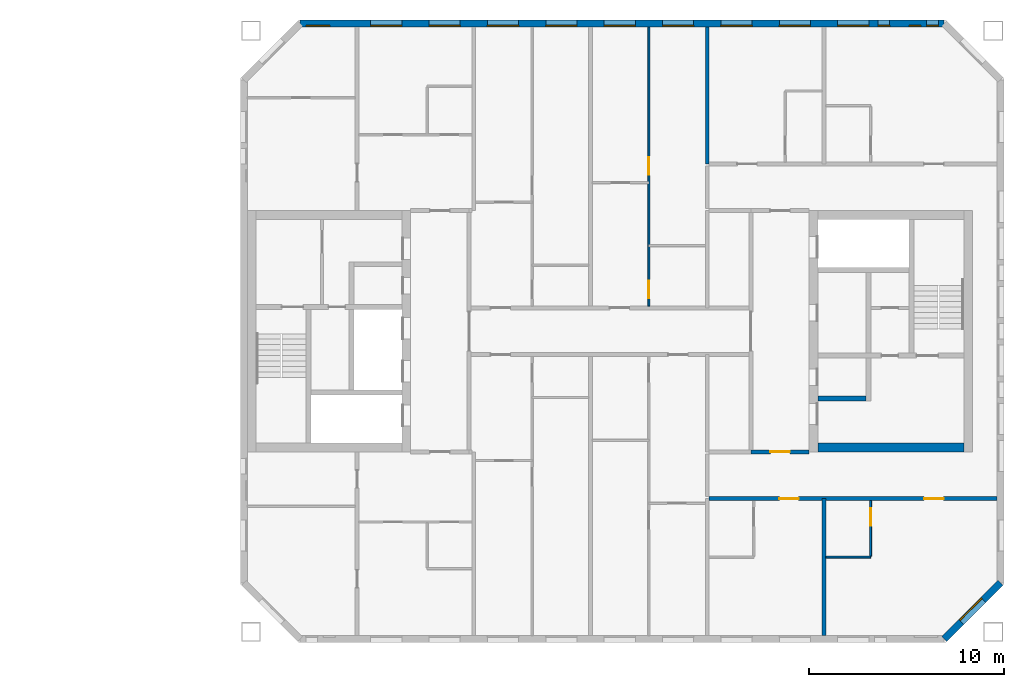
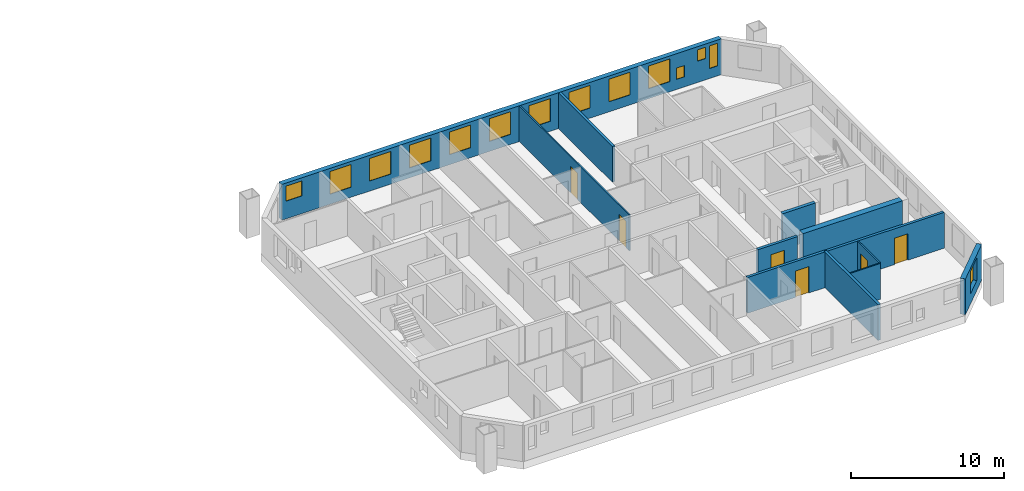
# One storey, part 12 of 16: 14 windows, 11 walls, 6 doors, 20 openings.
"""IFC4 building model written with IfcOpenShell, lengths in metres."""

from ifc_helpers import new_model, si_unit, direction, frame, frame_2d, origin, place, context, subcontext, project, spatial, rectangle, extrude, material, layer, layer_set, type_object, element, fill, save


model = new_model("IFC4")

# Units and contexts
model_context = context("Model", 3, precision=1e-05, world=origin(), true_north=direction((0.0, 1.0)))
body_context = subcontext(model_context, "Body", "Model", "MODEL_VIEW")
ifc_project = project(units=[si_unit("LENGTHUNIT", "METRE"), si_unit("AREAUNIT", "SQUARE_METRE"), si_unit("VOLUMEUNIT", "CUBIC_METRE"), si_unit("PLANEANGLEUNIT", "RADIAN"), si_unit("MASSUNIT", "GRAM", prefix="KILO")], contexts=[model_context])

# Site, building, storey
site_placement = place(None, origin())
site = spatial("IfcSite", under=ifc_project, at=site_placement, CompositionType="ELEMENT")
building_placement = place(site_placement, origin())
building = spatial("IfcBuilding", under=site, at=building_placement, Name="Tuart Gate Housing", CompositionType="ELEMENT")
storey_placement = place(building_placement, frame((0.0, 0.0, 175.800048828125)))
storey = spatial("IfcBuildingStorey", under=building, at=storey_placement, Name="L49", CompositionType="ELEMENT", Elevation=175.800048828125)

# Wall, opening, window
ifc_material_1 = material(Name="Brick", Category="masonry")
ifc_layer_1 = layer(ifc_material_1, 0.360107421875)
ifc_layer_set_1 = layer_set([ifc_layer_1], Name="Brick pier and spandrel wall 360")
wall_type_1 = type_object("IfcWallType", Name="Brick pier and spandrel wall 360", PredefinedType="STANDARD", material=ifc_layer_set_1)
wall_1_placement = place(storey_placement, frame((167.17529296875, 54.179931640625, 0.0), z_axis=(0.0, 0.0, 1.0), x_axis=(0.707106781187, 0.707106781187, 0.0)))
wall_1 = element("IfcWall", 1, at=wall_1_placement, inside=storey, type_object=wall_type_1, Name="External wall B-SE L49", PredefinedType="STANDARD", context=body_context, shape_type="SweptSolid", body=[
    extrude(rectangle(XDim=4.09375, YDim=0.360107421875, at=frame_2d((2.046875, 0.0))), origin(), (0.0, 0.0, 1.0), 2.849853515625),
])
opening_1_placement = place(wall_1_placement, frame((1.2470703125, 0.0, 0.800048828125)))
opening_1 = element("IfcOpeningElement", 2, at=opening_1_placement, cuts=wall_1, Name="Opening W1", PredefinedType="OPENING", context=body_context, shape_type="SweptSolid", body=[
    extrude(rectangle(XDim=1.60009765625, YDim=1.800048828125, at=frame_2d((0.800048828125, 0.89990234375))), frame((0.0, 0.18994140625, 0.0), z_axis=(0.0, -1.0, 0.0), x_axis=(1.0, 0.0, 0.0)), (0.0, 0.0, 1.0), 0.380126953125),
])
ifc_material_2 = material(Name="Aluminium frame with clear glass", Category="aluminium")
window_type_1 = type_object("IfcWindowType", Name="Punched window 1600 x 1800", PartitioningType="SINGLE_PANEL", PredefinedType="WINDOW", material=ifc_material_2)
window_1_placement = place(opening_1_placement, origin())
window_1 = element("IfcWindow", 3, at=window_1_placement, inside=storey, type_object=window_type_1, Name="Window W1", OverallHeight=1.800048828125, OverallWidth=1.60009765625, PartitioningType="SINGLE_PANEL", PredefinedType="WINDOW", context=body_context, shape_type="SweptSolid", body=[
    extrude(rectangle(XDim=1.60009765625, YDim=1.800048828125, at=frame_2d((0.800048828125, 0.89990234375))), frame((0.0, 0.150146484375, 0.0), z_axis=(0.0, -1.0, 0.0), x_axis=(1.0, 0.0, 0.0)), (0.0, 0.0, 1.0), 0.06005859375),
])
fill(opening_1, window_1)

# Wall, openings, windows
wall_2_placement = place(storey_placement, frame((167.17529296875, 85.820068359375, 0.0), z_axis=(0.0, 0.0, 1.0), x_axis=(-1.0, 0.0, 0.0)))
wall_2 = element("IfcWall", 4, at=wall_2_placement, inside=storey, type_object=wall_type_1, Name="External wall B-N L49", PredefinedType="STANDARD", context=body_context, shape_type="SweptSolid", body=[
    extrude(rectangle(XDim=33.100830078125, YDim=0.360107421875, at=frame_2d((16.55029296875, 0.0))), origin(), (0.0, 0.0, 1.0), 2.849853515625),
])
opening_2_placement = place(wall_2_placement, frame((0.300048828125, 0.0, 0.800048828125)))
opening_2 = element("IfcOpeningElement", 5, at=opening_2_placement, cuts=wall_2, Name="Opening W1E", PredefinedType="OPENING", context=body_context, shape_type="SweptSolid", body=[
    extrude(rectangle(XDim=0.60009765625, YDim=1.800048828125, at=frame_2d((0.300048828125, 0.89990234375))), frame((0.0, 0.18994140625, 0.0), z_axis=(0.0, -1.0, 0.0), x_axis=(1.0, 0.0, 0.0)), (0.0, 0.0, 1.0), 0.380126953125),
])
opening_3_placement = place(wall_2_placement, frame((3.87548828125, 0.0, 0.800048828125)))
opening_3 = element("IfcOpeningElement", 6, at=opening_3_placement, cuts=wall_2, Name="Opening W1", PredefinedType="OPENING", context=body_context, shape_type="SweptSolid", body=[
    extrude(rectangle(XDim=1.60009765625, YDim=1.800048828125, at=frame_2d((0.800048828125, 0.89990234375))), frame((0.0, 0.18994140625, 0.0), z_axis=(0.0, -1.0, 0.0), x_axis=(1.0, 0.0, 0.0)), (0.0, 0.0, 1.0), 0.380126953125),
])
opening_4_placement = place(wall_2_placement, frame((6.87548828125, 0.0, 0.800048828125)))
opening_4 = element("IfcOpeningElement", 7, at=opening_4_placement, cuts=wall_2, Name="Opening W1", PredefinedType="OPENING", context=body_context, shape_type="SweptSolid", body=[
    extrude(rectangle(XDim=1.60009765625, YDim=1.800048828125, at=frame_2d((0.800048828125, 0.89990234375))), frame((0.0, 0.18994140625, 0.0), z_axis=(0.0, -1.0, 0.0), x_axis=(1.0, 0.0, 0.0)), (0.0, 0.0, 1.0), 0.380126953125),
])
opening_5_placement = place(wall_2_placement, frame((9.87548828125, 0.0, 0.800048828125)))
opening_5 = element("IfcOpeningElement", 8, at=opening_5_placement, cuts=wall_2, Name="Opening W1", PredefinedType="OPENING", context=body_context, shape_type="SweptSolid", body=[
    extrude(rectangle(XDim=1.60009765625, YDim=1.800048828125, at=frame_2d((0.800048828125, 0.89990234375))), frame((0.0, 0.18994140625, 0.0), z_axis=(0.0, -1.0, 0.0), x_axis=(1.0, 0.0, 0.0)), (0.0, 0.0, 1.0), 0.380126953125),
])
opening_6_placement = place(wall_2_placement, frame((12.87548828125, 0.0, 0.800048828125)))
opening_6 = element("IfcOpeningElement", 9, at=opening_6_placement, cuts=wall_2, Name="Opening W1", PredefinedType="OPENING", context=body_context, shape_type="SweptSolid", body=[
    extrude(rectangle(XDim=1.60009765625, YDim=1.800048828125, at=frame_2d((0.800048828125, 0.89990234375))), frame((0.0, 0.18994140625, 0.0), z_axis=(0.0, -1.0, 0.0), x_axis=(1.0, 0.0, 0.0)), (0.0, 0.0, 1.0), 0.380126953125),
])
opening_7_placement = place(wall_2_placement, frame((15.87548828125, 0.0, 0.800048828125)))
opening_7 = element("IfcOpeningElement", 10, at=opening_7_placement, cuts=wall_2, Name="Opening W1", PredefinedType="OPENING", context=body_context, shape_type="SweptSolid", body=[
    extrude(rectangle(XDim=1.60009765625, YDim=1.800048828125, at=frame_2d((0.800048828125, 0.89990234375))), frame((0.0, 0.18994140625, 0.0), z_axis=(0.0, -1.0, 0.0), x_axis=(1.0, 0.0, 0.0)), (0.0, 0.0, 1.0), 0.380126953125),
])
opening_8_placement = place(wall_2_placement, frame((18.87548828125, 0.0, 0.800048828125)))
opening_8 = element("IfcOpeningElement", 11, at=opening_8_placement, cuts=wall_2, Name="Opening W1", PredefinedType="OPENING", context=body_context, shape_type="SweptSolid", body=[
    extrude(rectangle(XDim=1.60009765625, YDim=1.800048828125, at=frame_2d((0.800048828125, 0.89990234375))), frame((0.0, 0.18994140625, 0.0), z_axis=(0.0, -1.0, 0.0), x_axis=(1.0, 0.0, 0.0)), (0.0, 0.0, 1.0), 0.380126953125),
])
opening_9_placement = place(wall_2_placement, frame((21.87548828125, 0.0, 0.800048828125)))
opening_9 = element("IfcOpeningElement", 12, at=opening_9_placement, cuts=wall_2, Name="Opening W1", PredefinedType="OPENING", context=body_context, shape_type="SweptSolid", body=[
    extrude(rectangle(XDim=1.60009765625, YDim=1.800048828125, at=frame_2d((0.800048828125, 0.89990234375))), frame((0.0, 0.18994140625, 0.0), z_axis=(0.0, -1.0, 0.0), x_axis=(1.0, 0.0, 0.0)), (0.0, 0.0, 1.0), 0.380126953125),
])
opening_10_placement = place(wall_2_placement, frame((24.87548828125, 0.0, 0.800048828125)))
opening_10 = element("IfcOpeningElement", 13, at=opening_10_placement, cuts=wall_2, Name="Opening W1", PredefinedType="OPENING", context=body_context, shape_type="SweptSolid", body=[
    extrude(rectangle(XDim=1.60009765625, YDim=1.800048828125, at=frame_2d((0.800048828125, 0.89990234375))), frame((0.0, 0.18994140625, 0.0), z_axis=(0.0, -1.0, 0.0), x_axis=(1.0, 0.0, 0.0)), (0.0, 0.0, 1.0), 0.380126953125),
])
opening_11_placement = place(wall_2_placement, frame((27.87548828125, 0.0, 0.800048828125)))
opening_11 = element("IfcOpeningElement", 14, at=opening_11_placement, cuts=wall_2, Name="Opening W1", PredefinedType="OPENING", context=body_context, shape_type="SweptSolid", body=[
    extrude(rectangle(XDim=1.60009765625, YDim=1.800048828125, at=frame_2d((0.800048828125, 0.89990234375))), frame((0.0, 0.18994140625, 0.0), z_axis=(0.0, -1.0, 0.0), x_axis=(1.0, 0.0, 0.0)), (0.0, 0.0, 1.0), 0.380126953125),
])
opening_12_placement = place(wall_2_placement, frame((31.575439453125, 0.0, 1.39990234375)))
opening_12 = element("IfcOpeningElement", 15, at=opening_12_placement, cuts=wall_2, Name="Opening W1N", PredefinedType="OPENING", context=body_context, shape_type="SweptSolid", body=[
    extrude(rectangle(XDim=1.199951171875, YDim=1.199951171875, at=frame_2d((0.60009765625, 0.60009765625))), frame((0.0, 0.18994140625, 0.0), z_axis=(0.0, -1.0, 0.0), x_axis=(1.0, 0.0, 0.0)), (0.0, 0.0, 1.0), 0.380126953125),
])
opening_13_placement = place(wall_2_placement, frame((1.199951171875, 0.0, 1.699951171875)))
opening_13 = element("IfcOpeningElement", 16, at=opening_13_placement, cuts=wall_2, Name="Opening W1W", PredefinedType="OPENING", context=body_context, shape_type="SweptSolid", body=[
    extrude(rectangle(XDim=0.60009765625, YDim=0.89990234375, at=frame_2d((0.300048828125, 0.449951171875))), frame((0.0, 0.18994140625, 0.0), z_axis=(0.0, -1.0, 0.0), x_axis=(1.0, 0.0, 0.0)), (0.0, 0.0, 1.0), 0.380126953125),
])
opening_14_placement = place(wall_2_placement, frame((2.800048828125, 0.0, 0.800048828125)))
opening_14 = element("IfcOpeningElement", 17, at=opening_14_placement, cuts=wall_2, Name="Opening W1W", PredefinedType="OPENING", context=body_context, shape_type="SweptSolid", body=[
    extrude(rectangle(XDim=0.60009765625, YDim=0.89990234375, at=frame_2d((0.300048828125, 0.449951171875))), frame((0.0, 0.18994140625, 0.0), z_axis=(0.0, -1.0, 0.0), x_axis=(1.0, 0.0, 0.0)), (0.0, 0.0, 1.0), 0.380126953125),
])
ifc_material_3 = material(Name="Aluminium frame with clear glass", Category="aluminium")
window_type_2 = type_object("IfcWindowType", Name="Punched window 1200 x 1200", PartitioningType="SINGLE_PANEL", PredefinedType="WINDOW", material=ifc_material_3)
window_2_placement = place(opening_12_placement, origin())
window_2 = element("IfcWindow", 18, at=window_2_placement, inside=storey, type_object=window_type_2, Name="Window W1N", OverallHeight=1.199951171875, OverallWidth=1.199951171875, PartitioningType="SINGLE_PANEL", PredefinedType="WINDOW", context=body_context, shape_type="SweptSolid", body=[
    extrude(rectangle(XDim=1.199951171875, YDim=1.199951171875, at=frame_2d((0.60009765625, 0.60009765625))), frame((0.0, 0.150146484375, 0.0), z_axis=(0.0, -1.0, 0.0), x_axis=(1.0, 0.0, 0.0)), (0.0, 0.0, 1.0), 0.06005859375),
])
fill(opening_12, window_2)
window_3_placement = place(opening_3_placement, origin())
window_3 = element("IfcWindow", 19, at=window_3_placement, inside=storey, type_object=window_type_1, Name="Window W1", OverallHeight=1.800048828125, OverallWidth=1.60009765625, PartitioningType="SINGLE_PANEL", PredefinedType="WINDOW", context=body_context, shape_type="SweptSolid", body=[
    extrude(rectangle(XDim=1.60009765625, YDim=1.800048828125, at=frame_2d((0.800048828125, 0.89990234375))), frame((0.0, 0.150146484375, 0.0), z_axis=(0.0, -1.0, 0.0), x_axis=(1.0, 0.0, 0.0)), (0.0, 0.0, 1.0), 0.06005859375),
])
fill(opening_3, window_3)
window_4_placement = place(opening_4_placement, origin())
window_4 = element("IfcWindow", 20, at=window_4_placement, inside=storey, type_object=window_type_1, Name="Window W1", OverallHeight=1.800048828125, OverallWidth=1.60009765625, PartitioningType="SINGLE_PANEL", PredefinedType="WINDOW", context=body_context, shape_type="SweptSolid", body=[
    extrude(rectangle(XDim=1.60009765625, YDim=1.800048828125, at=frame_2d((0.800048828125, 0.89990234375))), frame((0.0, 0.150146484375, 0.0), z_axis=(0.0, -1.0, 0.0), x_axis=(1.0, 0.0, 0.0)), (0.0, 0.0, 1.0), 0.06005859375),
])
fill(opening_4, window_4)
window_5_placement = place(opening_5_placement, origin())
window_5 = element("IfcWindow", 21, at=window_5_placement, inside=storey, type_object=window_type_1, Name="Window W1", OverallHeight=1.800048828125, OverallWidth=1.60009765625, PartitioningType="SINGLE_PANEL", PredefinedType="WINDOW", context=body_context, shape_type="SweptSolid", body=[
    extrude(rectangle(XDim=1.60009765625, YDim=1.800048828125, at=frame_2d((0.800048828125, 0.89990234375))), frame((0.0, 0.150146484375, 0.0), z_axis=(0.0, -1.0, 0.0), x_axis=(1.0, 0.0, 0.0)), (0.0, 0.0, 1.0), 0.06005859375),
])
fill(opening_5, window_5)
window_6_placement = place(opening_6_placement, origin())
window_6 = element("IfcWindow", 22, at=window_6_placement, inside=storey, type_object=window_type_1, Name="Window W1", OverallHeight=1.800048828125, OverallWidth=1.60009765625, PartitioningType="SINGLE_PANEL", PredefinedType="WINDOW", context=body_context, shape_type="SweptSolid", body=[
    extrude(rectangle(XDim=1.60009765625, YDim=1.800048828125, at=frame_2d((0.800048828125, 0.89990234375))), frame((0.0, 0.150146484375, 0.0), z_axis=(0.0, -1.0, 0.0), x_axis=(1.0, 0.0, 0.0)), (0.0, 0.0, 1.0), 0.06005859375),
])
fill(opening_6, window_6)
window_7_placement = place(opening_7_placement, origin())
window_7 = element("IfcWindow", 23, at=window_7_placement, inside=storey, type_object=window_type_1, Name="Window W1", OverallHeight=1.800048828125, OverallWidth=1.60009765625, PartitioningType="SINGLE_PANEL", PredefinedType="WINDOW", context=body_context, shape_type="SweptSolid", body=[
    extrude(rectangle(XDim=1.60009765625, YDim=1.800048828125, at=frame_2d((0.800048828125, 0.89990234375))), frame((0.0, 0.150146484375, 0.0), z_axis=(0.0, -1.0, 0.0), x_axis=(1.0, 0.0, 0.0)), (0.0, 0.0, 1.0), 0.06005859375),
])
fill(opening_7, window_7)
window_8_placement = place(opening_8_placement, origin())
window_8 = element("IfcWindow", 24, at=window_8_placement, inside=storey, type_object=window_type_1, Name="Window W1", OverallHeight=1.800048828125, OverallWidth=1.60009765625, PartitioningType="SINGLE_PANEL", PredefinedType="WINDOW", context=body_context, shape_type="SweptSolid", body=[
    extrude(rectangle(XDim=1.60009765625, YDim=1.800048828125, at=frame_2d((0.800048828125, 0.89990234375))), frame((0.0, 0.150146484375, 0.0), z_axis=(0.0, -1.0, 0.0), x_axis=(1.0, 0.0, 0.0)), (0.0, 0.0, 1.0), 0.06005859375),
])
fill(opening_8, window_8)
window_9_placement = place(opening_9_placement, origin())
window_9 = element("IfcWindow", 25, at=window_9_placement, inside=storey, type_object=window_type_1, Name="Window W1", OverallHeight=1.800048828125, OverallWidth=1.60009765625, PartitioningType="SINGLE_PANEL", PredefinedType="WINDOW", context=body_context, shape_type="SweptSolid", body=[
    extrude(rectangle(XDim=1.60009765625, YDim=1.800048828125, at=frame_2d((0.800048828125, 0.89990234375))), frame((0.0, 0.150146484375, 0.0), z_axis=(0.0, -1.0, 0.0), x_axis=(1.0, 0.0, 0.0)), (0.0, 0.0, 1.0), 0.06005859375),
])
fill(opening_9, window_9)
window_10_placement = place(opening_10_placement, origin())
window_10 = element("IfcWindow", 26, at=window_10_placement, inside=storey, type_object=window_type_1, Name="Window W1", OverallHeight=1.800048828125, OverallWidth=1.60009765625, PartitioningType="SINGLE_PANEL", PredefinedType="WINDOW", context=body_context, shape_type="SweptSolid", body=[
    extrude(rectangle(XDim=1.60009765625, YDim=1.800048828125, at=frame_2d((0.800048828125, 0.89990234375))), frame((0.0, 0.150146484375, 0.0), z_axis=(0.0, -1.0, 0.0), x_axis=(1.0, 0.0, 0.0)), (0.0, 0.0, 1.0), 0.06005859375),
])
fill(opening_10, window_10)
window_11_placement = place(opening_11_placement, origin())
window_11 = element("IfcWindow", 27, at=window_11_placement, inside=storey, type_object=window_type_1, Name="Window W1", OverallHeight=1.800048828125, OverallWidth=1.60009765625, PartitioningType="SINGLE_PANEL", PredefinedType="WINDOW", context=body_context, shape_type="SweptSolid", body=[
    extrude(rectangle(XDim=1.60009765625, YDim=1.800048828125, at=frame_2d((0.800048828125, 0.89990234375))), frame((0.0, 0.150146484375, 0.0), z_axis=(0.0, -1.0, 0.0), x_axis=(1.0, 0.0, 0.0)), (0.0, 0.0, 1.0), 0.06005859375),
])
fill(opening_11, window_11)
ifc_material_4 = material(Name="Aluminium frame with clear glass", Category="aluminium")
window_type_3 = type_object("IfcWindowType", Name="Punched window 600 x 1800", PartitioningType="SINGLE_PANEL", PredefinedType="WINDOW", material=ifc_material_4)
window_12_placement = place(opening_2_placement, origin())
window_12 = element("IfcWindow", 28, at=window_12_placement, inside=storey, type_object=window_type_3, Name="Window W1E", OverallHeight=1.800048828125, OverallWidth=0.60009765625, PartitioningType="SINGLE_PANEL", PredefinedType="WINDOW", context=body_context, shape_type="SweptSolid", body=[
    extrude(rectangle(XDim=0.60009765625, YDim=1.800048828125, at=frame_2d((0.300048828125, 0.89990234375))), frame((0.0, 0.150146484375, 0.0), z_axis=(0.0, -1.0, 0.0), x_axis=(1.0, 0.0, 0.0)), (0.0, 0.0, 1.0), 0.06005859375),
])
fill(opening_2, window_12)
ifc_material_5 = material(Name="Aluminium frame with clear glass", Category="aluminium")
window_type_4 = type_object("IfcWindowType", Name="Punched window 600 x 900", PartitioningType="SINGLE_PANEL", PredefinedType="WINDOW", material=ifc_material_5)
window_13_placement = place(opening_13_placement, origin())
window_13 = element("IfcWindow", 29, at=window_13_placement, inside=storey, type_object=window_type_4, Name="Window W1W", OverallHeight=0.89990234375, OverallWidth=0.60009765625, PartitioningType="SINGLE_PANEL", PredefinedType="WINDOW", context=body_context, shape_type="SweptSolid", body=[
    extrude(rectangle(XDim=0.60009765625, YDim=0.89990234375, at=frame_2d((0.300048828125, 0.449951171875))), frame((0.0, 0.150146484375, 0.0), z_axis=(0.0, -1.0, 0.0), x_axis=(1.0, 0.0, 0.0)), (0.0, 0.0, 1.0), 0.06005859375),
])
fill(opening_13, window_13)
window_14_placement = place(opening_14_placement, origin())
window_14 = element("IfcWindow", 30, at=window_14_placement, inside=storey, type_object=window_type_4, Name="Window W1W", OverallHeight=0.89990234375, OverallWidth=0.60009765625, PartitioningType="SINGLE_PANEL", PredefinedType="WINDOW", context=body_context, shape_type="SweptSolid", body=[
    extrude(rectangle(XDim=0.60009765625, YDim=0.89990234375, at=frame_2d((0.300048828125, 0.449951171875))), frame((0.0, 0.150146484375, 0.0), z_axis=(0.0, -1.0, 0.0), x_axis=(1.0, 0.0, 0.0)), (0.0, 0.0, 1.0), 0.06005859375),
])
fill(opening_14, window_14)

# Walls
ifc_material_6 = material(Name="Concrete C40", Category="concrete")
ifc_layer_2 = layer(ifc_material_6, 0.25)
ifc_layer_set_2 = layer_set([ifc_layer_2], Name="Core wall 250 C40")
wall_type_2 = type_object("IfcWallType", Name="Core wall 250 C40", PredefinedType="SHEAR", material=ifc_layer_set_2)
wall_3_placement = place(storey_placement, frame((160.68994140625, 66.550048828125, 0.0), z_axis=(0.0, 0.0, 1.0), x_axis=(1.0, 0.0, 0.0)))
element("IfcWall", 31, at=wall_3_placement, inside=storey, type_object=wall_type_2, Name="Core wall BK.4", PredefinedType="SHEAR", context=body_context, shape_type="SweptSolid", body=[
    extrude(rectangle(XDim=2.47509765625, YDim=0.25, at=frame_2d((1.237548828125, 0.0))), origin(), (0.0, 0.0, 1.0), 2.849853515625),
])
ifc_material_7 = material(Name="Concrete C40", Category="concrete")
ifc_layer_3 = layer(ifc_material_7, 0.449951171875)
ifc_layer_set_3 = layer_set([ifc_layer_3], Name="Core wall 450 C40")
wall_type_3 = type_object("IfcWallType", Name="Core wall 450 C40", PredefinedType="SHEAR", material=ifc_layer_set_3)
wall_4_placement = place(storey_placement, frame((160.68994140625, 64.02490234375, 0.0), z_axis=(0.0, 0.0, 1.0), x_axis=(1.0, 0.0, 0.0)))
element("IfcWall", 32, at=wall_4_placement, inside=storey, type_object=wall_type_3, Name="Core wall BK north", PredefinedType="SHEAR", context=body_context, shape_type="SweptSolid", body=[
    extrude(rectangle(XDim=7.5, YDim=0.449951171875, at=frame_2d((3.75, 0.0))), origin(), (0.0, 0.0, 1.0), 2.849853515625),
])

# Wall, openings, doors
ifc_material_8 = material(Name="Concrete masonry 15 MPa", Category="masonry")
ifc_layer_4 = layer(ifc_material_8, 0.199951171875)
ifc_layer_set_4 = layer_set([ifc_layer_4], Name="Corridor wall masonry 200")
wall_type_4 = type_object("IfcWallType", Name="Corridor wall masonry 200", PredefinedType="PARTITIONING", material=ifc_layer_set_4)
wall_5_placement = place(storey_placement, frame((155.10009765625, 61.39990234375, 0.0), z_axis=(0.0, 0.0, 1.0), x_axis=(1.0, 0.0, 0.0)))
wall_5 = element("IfcWall", 33, at=wall_5_placement, inside=storey, type_object=wall_type_4, Name="Corridor wall masonry 200", PredefinedType="PARTITIONING", context=body_context, shape_type="SweptSolid", body=[
    extrude(rectangle(XDim=14.789794921875, YDim=0.199951171875, at=frame_2d((7.39501953125, 0.0))), origin(), (0.0, 0.0, 1.0), 2.849853515625),
])
opening_15_placement = place(wall_5_placement, frame((3.60009765625, 0.0, 0.0)))
opening_15 = element("IfcOpeningElement", 34, at=opening_15_placement, cuts=wall_5, Name="Opening D1831", PredefinedType="OPENING", context=body_context, shape_type="SweptSolid", body=[
    extrude(rectangle(XDim=1.0, YDim=2.10009765625, at=frame_2d((0.5, 1.050048828125))), frame((0.0, 0.10986328125, 0.0), z_axis=(0.0, -1.0, 0.0), x_axis=(1.0, 0.0, 0.0)), (0.0, 0.0, 1.0), 0.219970703125),
])
opening_16_placement = place(wall_5_placement, frame((11.044921875, 0.0, 0.0)))
opening_16 = element("IfcOpeningElement", 35, at=opening_16_placement, cuts=wall_5, Name="Opening D1832", PredefinedType="OPENING", context=body_context, shape_type="SweptSolid", body=[
    extrude(rectangle(XDim=1.0, YDim=2.10009765625, at=frame_2d((0.5, 1.050048828125))), frame((0.0, 0.10986328125, 0.0), z_axis=(0.0, -1.0, 0.0), x_axis=(1.0, 0.0, 0.0)), (0.0, 0.0, 1.0), 0.219970703125),
])
ifc_material_9 = material(Name="Timber door leaf in steel frame", Category="steel")
door_type_1 = type_object("IfcDoorType", Name="Flat entrance door 1000 RH", OperationType="SINGLE_SWING_RIGHT", PredefinedType="DOOR", material=ifc_material_9)
door_1_placement = place(opening_15_placement, frame((1.0, 0.0, 0.0), z_axis=(0.0, 0.0, 1.0), x_axis=(-1.0, 0.0, 0.0)))
door_1 = element("IfcDoor", 36, at=door_1_placement, inside=storey, type_object=door_type_1, Name="Flat entrance door", OperationType="SINGLE_SWING_RIGHT", OverallHeight=2.10009765625, OverallWidth=1.0, PredefinedType="DOOR", context=body_context, shape_type="SweptSolid", body=[
    extrude(rectangle(XDim=1.0, YDim=2.10009765625, at=frame_2d((0.5, 1.050048828125))), frame((0.0, 0.025146484375, 0.0), z_axis=(0.0, -1.0, 0.0), x_axis=(1.0, 0.0, 0.0)), (0.0, 0.0, 1.0), 0.050048828125),
])
fill(opening_15, door_1)
door_2_placement = place(opening_16_placement, frame((1.0, 0.0, 0.0), z_axis=(0.0, 0.0, 1.0), x_axis=(-1.0, 0.0, 0.0)))
door_2 = element("IfcDoor", 37, at=door_2_placement, inside=storey, type_object=door_type_1, Name="Flat entrance door", OperationType="SINGLE_SWING_RIGHT", OverallHeight=2.10009765625, OverallWidth=1.0, PredefinedType="DOOR", context=body_context, shape_type="SweptSolid", body=[
    extrude(rectangle(XDim=1.0, YDim=2.10009765625, at=frame_2d((0.5, 1.050048828125))), frame((0.0, 0.025146484375, 0.0), z_axis=(0.0, -1.0, 0.0), x_axis=(1.0, 0.0, 0.0)), (0.0, 0.0, 1.0), 0.050048828125),
])
fill(opening_16, door_2)

# Wall, opening, door
ifc_material_10 = material(Name="Concrete masonry 15 MPa", Category="masonry")
ifc_layer_5 = layer(ifc_material_10, 0.199951171875)
ifc_layer_set_5 = layer_set([ifc_layer_5], Name="Enclosure wall masonry 200")
wall_type_5 = type_object("IfcWallType", Name="Enclosure wall masonry 200", PredefinedType="PARTITIONING", material=ifc_layer_set_5)
wall_6_placement = place(storey_placement, frame((157.239990234375, 63.800048828125, 0.0), z_axis=(0.0, 0.0, 1.0), x_axis=(1.0, 0.0, 0.0)))
wall_6 = element("IfcWall", 38, at=wall_6_placement, inside=storey, type_object=wall_type_5, Name="Enclosure wall masonry 200", PredefinedType="PARTITIONING", context=body_context, shape_type="SweptSolid", body=[
    extrude(rectangle(XDim=3.0, YDim=0.199951171875, at=frame_2d((1.5, 0.0))), origin(), (0.0, 0.0, 1.0), 2.849853515625),
])
opening_17_placement = place(wall_6_placement, frame((1.0, 0.0, 0.0)))
opening_17 = element("IfcOpeningElement", 39, at=opening_17_placement, cuts=wall_6, Name="Opening D1825", PredefinedType="OPENING", context=body_context, shape_type="SweptSolid", body=[
    extrude(rectangle(XDim=1.0, YDim=2.10009765625, at=frame_2d((0.5, 1.050048828125))), frame((0.0, 0.10986328125, 0.0), z_axis=(0.0, -1.0, 0.0), x_axis=(1.0, 0.0, 0.0)), (0.0, 0.0, 1.0), 0.219970703125),
])
ifc_material_11 = material(Name="Timber door leaf in steel frame", Category="steel")
door_type_2 = type_object("IfcDoorType", Name="Fire door 1000 RH", OperationType="SINGLE_SWING_RIGHT", PredefinedType="DOOR", material=ifc_material_11)
door_3_placement = place(opening_17_placement, frame((1.0, 0.0, 0.0), z_axis=(0.0, 0.0, 1.0), x_axis=(-1.0, 0.0, 0.0)))
door_3 = element("IfcDoor", 40, at=door_3_placement, inside=storey, type_object=door_type_2, Name="Fire door", OperationType="SINGLE_SWING_RIGHT", OverallHeight=2.10009765625, OverallWidth=1.0, PredefinedType="DOOR", context=body_context, shape_type="SweptSolid", body=[
    extrude(rectangle(XDim=1.0, YDim=2.10009765625, at=frame_2d((0.5, 1.050048828125))), frame((0.0, 0.025146484375, 0.0), z_axis=(0.0, -1.0, 0.0), x_axis=(1.0, 0.0, 0.0)), (0.0, 0.0, 1.0), 0.050048828125),
])
fill(opening_17, door_3)

# Wall
ifc_material_12 = material(Name="Gypsum board on steel studs", Category="steel")
ifc_layer_6 = layer(ifc_material_12, 0.10009765625)
ifc_layer_set_6 = layer_set([ifc_layer_6], Name="Partition 100")
wall_type_6 = type_object("IfcWallType", Name="Partition 100", PredefinedType="PARTITIONING", material=ifc_layer_set_6)
wall_7_placement = place(storey_placement, frame((161.10009765625, 58.39990234375, 0.0), z_axis=(0.0, 0.0, 1.0), x_axis=(1.0, 0.0, 0.0)))
element("IfcWall", 41, at=wall_7_placement, inside=storey, type_object=wall_type_6, Name="Partition 100", PredefinedType="PARTITIONING", context=body_context, shape_type="SweptSolid", body=[
    extrude(rectangle(XDim=2.2998046875, YDim=0.10009765625, at=frame_2d((1.14990234375, 0.0))), origin(), (0.0, 0.0, 1.0), 2.849853515625),
])

# Wall, openings, doors
wall_8_placement = place(storey_placement, frame((152.0, 71.300048828125, 0.0), z_axis=(0.0, 0.0, 1.0), x_axis=(0.0, 1.0, 0.0)))
wall_8 = element("IfcWall", 42, at=wall_8_placement, inside=storey, type_object=wall_type_6, Name="Partition 100", PredefinedType="PARTITIONING", context=body_context, shape_type="SweptSolid", body=[
    extrude(rectangle(XDim=14.33984375, YDim=0.10009765625, at=frame_2d((7.169921875, 0.0))), origin(), (0.0, 0.0, 1.0), 2.849853515625),
])
opening_18_placement = place(wall_8_placement, frame((6.739990234375, 0.0, 0.0)))
opening_18 = element("IfcOpeningElement", 43, at=opening_18_placement, cuts=wall_8, Name="Opening D1802", PredefinedType="OPENING", context=body_context, shape_type="SweptSolid", body=[
    extrude(rectangle(XDim=0.89990234375, YDim=2.10009765625, at=frame_2d((0.449951171875, 1.050048828125))), frame((0.0, 0.06005859375, 0.0), z_axis=(0.0, -1.0, 0.0), x_axis=(1.0, 0.0, 0.0)), (0.0, 0.0, 1.0), 0.1201171875),
])
opening_19_placement = place(wall_8_placement, frame((0.39990234375, 0.0, 0.0)))
opening_19 = element("IfcOpeningElement", 44, at=opening_19_placement, cuts=wall_8, Name="Opening D1801", PredefinedType="OPENING", context=body_context, shape_type="SweptSolid", body=[
    extrude(rectangle(XDim=0.89990234375, YDim=2.10009765625, at=frame_2d((0.449951171875, 1.050048828125))), frame((0.0, 0.06005859375, 0.0), z_axis=(0.0, -1.0, 0.0), x_axis=(1.0, 0.0, 0.0)), (0.0, 0.0, 1.0), 0.1201171875),
])
ifc_material_13 = material(Name="Timber door leaf in steel frame", Category="steel")
door_type_3 = type_object("IfcDoorType", Name="Bathroom door 900 RH", OperationType="SINGLE_SWING_RIGHT", PredefinedType="DOOR", material=ifc_material_13)
door_4_placement = place(opening_19_placement, frame((0.89990234375, 0.0, 0.0), z_axis=(0.0, 0.0, 1.0), x_axis=(-1.0, 0.0, 0.0)))
door_4 = element("IfcDoor", 45, at=door_4_placement, inside=storey, type_object=door_type_3, Name="Bathroom door", OperationType="SINGLE_SWING_RIGHT", OverallHeight=2.10009765625, OverallWidth=0.89990234375, PredefinedType="DOOR", context=body_context, shape_type="SweptSolid", body=[
    extrude(rectangle(XDim=0.89990234375, YDim=2.10009765625, at=frame_2d((0.449951171875, 1.050048828125))), frame((0.0, 0.025146484375, 0.0), z_axis=(0.0, -1.0, 0.0), x_axis=(1.0, 0.0, 0.0)), (0.0, 0.0, 1.0), 0.050048828125),
])
fill(opening_19, door_4)
ifc_material_14 = material(Name="Timber door leaf in steel frame", Category="steel")
door_type_4 = type_object("IfcDoorType", Name="Internal door 900 RH", OperationType="SINGLE_SWING_RIGHT", PredefinedType="DOOR", material=ifc_material_14)
door_5_placement = place(opening_18_placement, frame((0.89990234375, 0.0, 0.0), z_axis=(0.0, 0.0, 1.0), x_axis=(-1.0, 0.0, 0.0)))
door_5 = element("IfcDoor", 46, at=door_5_placement, inside=storey, type_object=door_type_4, Name="Internal door", OperationType="SINGLE_SWING_RIGHT", OverallHeight=2.10009765625, OverallWidth=0.89990234375, PredefinedType="DOOR", context=body_context, shape_type="SweptSolid", body=[
    extrude(rectangle(XDim=0.89990234375, YDim=2.10009765625, at=frame_2d((0.449951171875, 1.050048828125))), frame((0.0, 0.025146484375, 0.0), z_axis=(0.0, -1.0, 0.0), x_axis=(1.0, 0.0, 0.0)), (0.0, 0.0, 1.0), 0.050048828125),
])
fill(opening_18, door_5)

# Wall, opening, door
wall_9_placement = place(storey_placement, frame((163.39990234375, 58.449951171875, 0.0), z_axis=(0.0, 0.0, 1.0), x_axis=(0.0, 1.0, 0.0)))
wall_9 = element("IfcWall", 47, at=wall_9_placement, inside=storey, type_object=wall_type_6, Name="Partition 100", PredefinedType="PARTITIONING", context=body_context, shape_type="SweptSolid", body=[
    extrude(rectangle(XDim=2.85009765625, YDim=0.10009765625, at=frame_2d((1.425048828125, 0.0))), origin(), (0.0, 0.0, 1.0), 2.849853515625),
])
opening_20_placement = place(wall_9_placement, frame((1.550048828125, 0.0, 0.0)))
opening_20 = element("IfcOpeningElement", 48, at=opening_20_placement, cuts=wall_9, Name="Opening D1837", PredefinedType="OPENING", context=body_context, shape_type="SweptSolid", body=[
    extrude(rectangle(XDim=0.89990234375, YDim=2.10009765625, at=frame_2d((0.449951171875, 1.050048828125))), frame((0.0, 0.06005859375, 0.0), z_axis=(0.0, -1.0, 0.0), x_axis=(1.0, 0.0, 0.0)), (0.0, 0.0, 1.0), 0.1201171875),
])
door_6_placement = place(opening_20_placement, origin())
door_6 = element("IfcDoor", 49, at=door_6_placement, inside=storey, type_object=door_type_3, Name="Bathroom door", OperationType="SINGLE_SWING_RIGHT", OverallHeight=2.10009765625, OverallWidth=0.89990234375, PredefinedType="DOOR", context=body_context, shape_type="SweptSolid", body=[
    extrude(rectangle(XDim=0.89990234375, YDim=2.10009765625, at=frame_2d((0.449951171875, 1.050048828125))), frame((0.0, 0.02490234375, 0.0), z_axis=(0.0, -1.0, 0.0), x_axis=(1.0, 0.0, 0.0)), (0.0, 0.0, 1.0), 0.050048828125),
])
fill(opening_20, door_6)

# Walls
ifc_material_15 = material(Name="Concrete C40", Category="concrete")
ifc_layer_7 = layer(ifc_material_15, 0.199951171875)
ifc_layer_set_7 = layer_set([ifc_layer_7], Name="Party wall concrete C40 200")
wall_type_7 = type_object("IfcWallType", Name="Party wall concrete C40 200", PredefinedType="SOLIDWALL", material=ifc_layer_set_7)
for number, where, z_axis, x_axis, name in (
    (50, (155.0, 78.60009765625, 0.0), (0.0, 0.0, 1.0), (0.0, 1.0, 0.0), "Party wall concrete C40 200"),
    (51, (161.0, 54.360107421875, 0.0), (0.0, 0.0, 1.0), (0.0, 1.0, 0.0), "Party wall concrete C40 200"),
):
    element("IfcWall", number, at=place(storey_placement, frame(where, z_axis=z_axis, x_axis=x_axis)), inside=storey, type_object=wall_type_7, Name=name, PredefinedType="SOLIDWALL", context=body_context, shape_type="SweptSolid", body=[
        extrude(rectangle(XDim=7.039794921875, YDim=0.199951171875, at=frame_2d((3.52001953125, 0.0))), origin(), (0.0, 0.0, 1.0), 2.849853515625),
    ])

save(model, "model.ifc")
